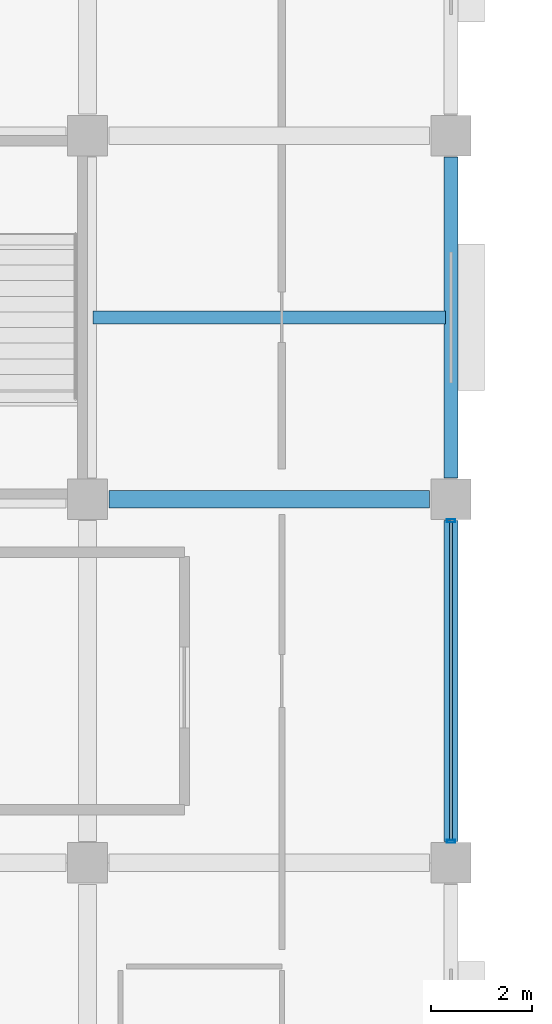
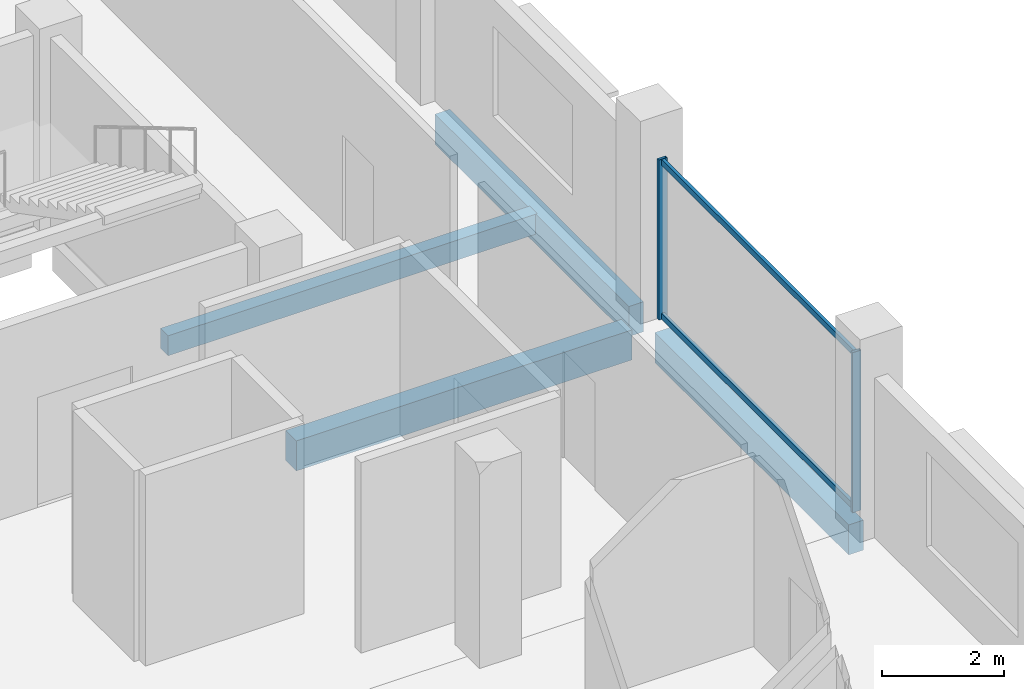
# One storey, part 9 of 108: 4 beams, 4 members, 1 element without a shape of its own.
"""IFC4 building model written with IfcOpenShell, lengths in metres."""

from ifc_helpers import new_model, si_unit, direction, frame, origin, origin_2d, place, context, subcontext, project, spatial, rectangle, hollow_rectangle, extrude, material, layer, layer_set, material_profile, profile_set, type_object, element, aggregate, save


model = new_model("IFC4")

# Units and contexts
model_context = context("Model", 3, precision=1e-05, world=origin(), true_north=direction((0.0, 1.0)))
body_context = subcontext(model_context, "Body", "Model", "MODEL_VIEW")
ifc_project = project(units=[si_unit("LENGTHUNIT", "METRE"), si_unit("AREAUNIT", "SQUARE_METRE"), si_unit("VOLUMEUNIT", "CUBIC_METRE"), si_unit("PLANEANGLEUNIT", "RADIAN"), si_unit("MASSUNIT", "GRAM", prefix="KILO")], contexts=[model_context])

# Site, building, storey
site_placement = place(None, origin())
site = spatial("IfcSite", under=ifc_project, at=site_placement, CompositionType="ELEMENT")
building_placement = place(site_placement, origin())
building = spatial("IfcBuilding", under=site, at=building_placement, Name="Kangsadwip Square Police Headquarters", CompositionType="ELEMENT")
storey_placement = place(building_placement, frame((0.0, 0.0, 9.449951171875)))
storey = spatial("IfcBuildingStorey", under=building, at=storey_placement, Name="L02", CompositionType="ELEMENT", Elevation=9.449951171875)

# Curtain wall, members
ifc_material_1 = material(Name="Thermally broken anodised aluminium AW-6063-T6", Category="aluminium")
ifc_layer = layer(ifc_material_1, 0.159912109375)
ifc_layer_set = layer_set([ifc_layer], Name="Thermally broken anodised aluminium AW-6063-T6")
curtain_wall_type = type_object("IfcCurtainWallType", Name="CourtScreen6410x3200", PredefinedType="USERDEFINED", material=ifc_layer_set)
curtain_wall_placement = place(storey_placement, origin())
curtain_wall = element("IfcCurtainWall", 1, at=curtain_wall_placement, inside=storey, type_object=curtain_wall_type, Name="Curtain Wall CW-L02-0216-0652", ObjectType="GLAZED_SCREEN", PredefinedType="USERDEFINED")
ifc_material_2 = material(Name="Thermally broken anodised aluminium AW-6063-T6", Category="aluminium")
ifc_material_profile_1 = material_profile(ifc_material_2, hollow_rectangle(XDim=0.06005859375, YDim=0.159912109375, WallThickness=0.00390625, at=origin_2d()), Name="CWM 160X60X4")
ifc_profile_set_1 = profile_set([ifc_material_profile_1], Name="Thermally broken anodised aluminium AW-6063-T6")
member_type_1 = type_object("IfcMemberType", Name="CwMullion135x60", PredefinedType="MULLION", material=ifc_profile_set_1)
member_1_placement = place(storey_placement, frame((21.60009765625, 65.22509765625, 0.0), z_axis=(0.0, 0.0, 1.0), x_axis=(0.0, 1.0, 0.0)))
member_1 = element("IfcMember", 2, at=member_1_placement, type_object=member_type_1, Name="CW-30 mullion 1", PredefinedType="MULLION", context=body_context, shape_type="SweptSolid", body=[
    extrude(hollow_rectangle(XDim=0.06005859375, YDim=0.159912109375, WallThickness=0.00390625, at=origin_2d()), origin(), (0.0, 0.0, 1.0), 3.199951171875),
])
member_2_placement = place(storey_placement, frame((21.60009765625, 71.574951171875, 0.0), z_axis=(0.0, 0.0, 1.0), x_axis=(0.0, 1.0, 0.0)))
member_2 = element("IfcMember", 3, at=member_2_placement, type_object=member_type_1, Name="CW-30 mullion 2", PredefinedType="MULLION", context=body_context, shape_type="SweptSolid", body=[
    extrude(hollow_rectangle(XDim=0.06005859375, YDim=0.159912109375, WallThickness=0.00390625, at=origin_2d()), origin(), (0.0, 0.0, 1.0), 3.199951171875),
])
ifc_material_3 = material(Name="Thermally broken anodised aluminium AW-6063-T6", Category="aluminium")
ifc_material_profile_2 = material_profile(ifc_material_3, hollow_rectangle(XDim=0.06005859375, YDim=0.1201171875, WallThickness=0.00390625, at=origin_2d()), Name="CWT 120X60X4")
ifc_profile_set_2 = profile_set([ifc_material_profile_2], Name="Thermally broken anodised aluminium AW-6063-T6")
member_type_2 = type_object("IfcMemberType", Name="CwTransom120x55", PredefinedType="USERDEFINED", material=ifc_profile_set_2)
member_3_placement = place(storey_placement, frame((21.60009765625, 65.2548828125, 0.06005859375), z_axis=(0.0, 1.0, 0.0), x_axis=(-1.0, 0.0, 0.0)))
member_3 = element("IfcMember", 4, at=member_3_placement, type_object=member_type_2, Name="CW-30 transom 1.1", ObjectType="TRANSOM", PredefinedType="USERDEFINED", context=body_context, shape_type="SweptSolid", body=[
    extrude(hollow_rectangle(XDim=0.06005859375, YDim=0.1201171875, WallThickness=0.00390625, at=origin_2d()), origin(), (0.0, 0.0, 1.0), 6.2900390625),
])
member_4_placement = place(storey_placement, frame((21.60009765625, 65.2548828125, 3.14013671875), z_axis=(0.0, 1.0, 0.0), x_axis=(-1.0, 0.0, 0.0)))
member_4 = element("IfcMember", 5, at=member_4_placement, type_object=member_type_2, Name="CW-30 transom 1.2", ObjectType="TRANSOM", PredefinedType="USERDEFINED", context=body_context, shape_type="SweptSolid", body=[
    extrude(hollow_rectangle(XDim=0.06005859375, YDim=0.1201171875, WallThickness=0.00390625, at=origin_2d()), origin(), (0.0, 0.0, 1.0), 6.2900390625),
])
aggregate(curtain_wall, [member_1, member_2, member_3, member_4])

# Beams
ifc_material_4 = material(Name="Concrete M35 (35 MPa)", Category="concrete")
ifc_material_profile_3 = material_profile(ifc_material_4, rectangle(XDim=0.35009765625, YDim=0.60009765625, at=origin_2d()), Name="RC BM 600X350")
ifc_profile_set_3 = profile_set([ifc_material_profile_3], Name="Concrete M35 (35 MPa)")
beam_type_1 = type_object("IfcBeamType", Name="RcBeam600x350", PredefinedType="BEAM", material=ifc_profile_set_3)
beam_1_placement = place(storey_placement, frame((14.824951171875, 72.0, -0.5400390625), z_axis=(1.0, 0.0, 0.0), x_axis=(0.0, 1.0, 0.0)))
element("IfcBeam", 6, at=beam_1_placement, inside=storey, type_object=beam_type_1, Name="Beam BM-L02-X-02-10", PredefinedType="BEAM", context=body_context, shape_type="SweptSolid", body=[
    extrude(rectangle(XDim=0.35009765625, YDim=0.60009765625, at=origin_2d()), origin(), (0.0, 0.0, 1.0), 6.35009765625),
])
ifc_material_5 = material(Name="Concrete M35 (35 MPa)", Category="concrete")
ifc_material_profile_4 = material_profile(ifc_material_5, rectangle(XDim=0.25, YDim=0.39990234375, at=origin_2d()), Name="RC JST 400X250")
ifc_profile_set_4 = profile_set([ifc_material_profile_4], Name="Concrete M35 (35 MPa)")
beam_type_2 = type_object("IfcBeamType", Name="RcJoist400x250", PredefinedType="JOIST", material=ifc_profile_set_4)
beam_2_placement = place(storey_placement, frame((14.510009765625, 75.60009765625, -0.43994140625), z_axis=(1.0, 0.0, 0.0), x_axis=(0.0, 1.0, 0.0)))
element("IfcBeam", 7, at=beam_2_placement, inside=storey, type_object=beam_type_2, Name="Secondary Joist JST-L02-02-10", PredefinedType="JOIST", context=body_context, shape_type="SweptSolid", body=[
    extrude(rectangle(XDim=0.25, YDim=0.39990234375, at=origin_2d()), origin(), (0.0, 0.0, 1.0), 6.97998046875),
])
ifc_material_6 = material(Name="Concrete M40 (40 MPa)", Category="concrete")
ifc_material_profile_5 = material_profile(ifc_material_6, rectangle(XDim=0.280029296875, YDim=0.60009765625, at=origin_2d()), Name="RC SPN 600X280")
ifc_profile_set_5 = profile_set([ifc_material_profile_5], Name="Concrete M40 (40 MPa)")
beam_type_3 = type_object("IfcBeamType", Name="RcSpandrel600x280", PredefinedType="SPANDREL", material=ifc_profile_set_5)
for number, where, z_axis, x_axis, name in (
    (8, (21.60009765625, 65.22509765625, -0.5400390625), (0.0, 1.0, 0.0), (-1.0, 0.0, 0.0), "Beam BM-L02-Y-03-09"),
    (9, (21.60009765625, 72.425048828125, -0.5400390625), (0.0, 1.0, 0.0), (-1.0, 0.0, 0.0), "Beam BM-L02-Y-03-10"),
):
    element("IfcBeam", number, at=place(storey_placement, frame(where, z_axis=z_axis, x_axis=x_axis)), inside=storey, type_object=beam_type_3, Name=name, PredefinedType="SPANDREL", context=body_context, shape_type="SweptSolid", body=[
        extrude(rectangle(XDim=0.280029296875, YDim=0.60009765625, at=origin_2d()), origin(), (0.0, 0.0, 1.0), 6.349853515625),
    ])

save(model, "model.ifc")
